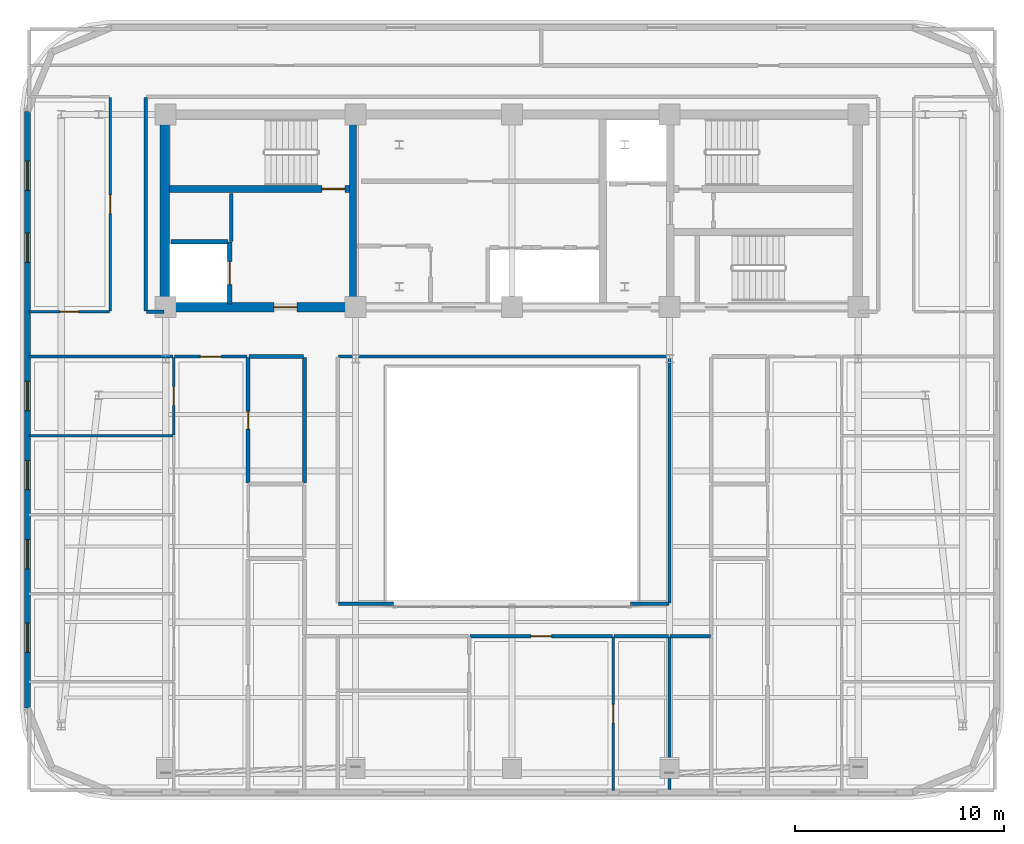
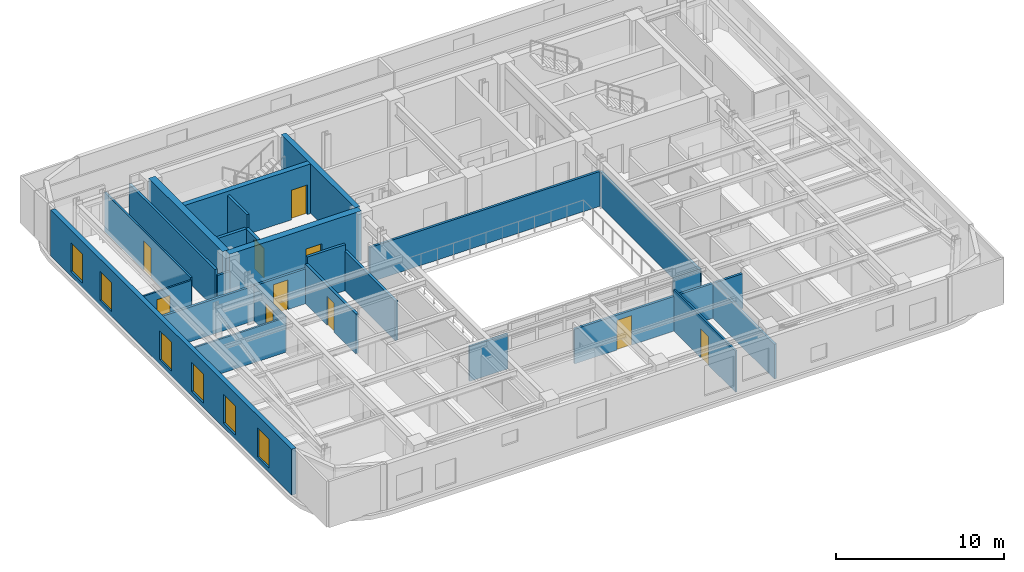
# One storey, part 7 of 14: 28 walls, 10 doors, 6 windows, 16 openings.
"""IFC4 building model written with IfcOpenShell, lengths in metres."""

from ifc_helpers import new_model, si_unit, direction, frame, frame_2d, origin, place, context, subcontext, project, spatial, rectangle, extrude, material, layer, layer_set, type_object, element, fill, save


model = new_model("IFC4")

# Units and contexts
model_context = context("Model", 3, precision=1e-05, world=origin(), true_north=direction((0.0, 1.0)))
body_context = subcontext(model_context, "Body", "Model", "MODEL_VIEW")
ifc_project = project(units=[si_unit("LENGTHUNIT", "METRE"), si_unit("AREAUNIT", "SQUARE_METRE"), si_unit("VOLUMEUNIT", "CUBIC_METRE"), si_unit("PLANEANGLEUNIT", "RADIAN"), si_unit("MASSUNIT", "GRAM", prefix="KILO")], contexts=[model_context])

# Site, building, storey
site_placement = place(None, origin())
site = spatial("IfcSite", under=ifc_project, at=site_placement, CompositionType="ELEMENT")
building_placement = place(site_placement, origin())
building = spatial("IfcBuilding", under=site, at=building_placement, Name="Zarnavel Station Tower", CompositionType="ELEMENT")
storey_placement = place(building_placement, frame((0.0, 0.0, 225.60009765625)))
storey = spatial("IfcBuildingStorey", under=building, at=storey_placement, Name="L61", CompositionType="ELEMENT", Elevation=225.60009765625)

# Wall
ifc_material_1 = material(Name="Concrete C50/60", Category="concrete")
ifc_layer_1 = layer(ifc_material_1, 0.35009765625)
ifc_layer_set_1 = layer_set([ifc_layer_1], Name="CW_350")
wall_type_1 = type_object("IfcWallType", Name="CW_350", PredefinedType="SHEAR", material=ifc_layer_set_1)
wall_1_placement = place(storey_placement, frame((21.179931640625, 28.044921875, 0.0), z_axis=(0.0, 0.0, 1.0), x_axis=(0.0, 1.0, 0.0)))
element("IfcWall", 1, at=wall_1_placement, inside=storey, type_object=wall_type_1, Name="L61 Rear Core Shear Wall DIV-W", PredefinedType="SHEAR", context=body_context, shape_type="SweptSolid", body=[
    extrude(rectangle(XDim=8.780029296875, YDim=0.35009765625, at=frame_2d((4.39013671875, 0.0))), origin(), (0.0, 0.0, 1.0), 3.599853515625),
])

# Wall, opening, door
wall_2_placement = place(storey_placement, frame((21.0048828125, 33.47998046875, 0.0), z_axis=(0.0, 0.0, 1.0), x_axis=(-1.0, 0.0, 0.0)))
wall_2 = element("IfcWall", 2, at=wall_2_placement, inside=storey, type_object=wall_type_1, Name="L61 Rear Core Shear Wall DIV-H1", PredefinedType="SHEAR", context=body_context, shape_type="SweptSolid", body=[
    extrude(rectangle(XDim=8.6298828125, YDim=0.35009765625, at=frame_2d((4.31494140625, 0.0))), origin(), (0.0, 0.0, 1.0), 3.599853515625),
])
opening_1_placement = place(wall_2_placement, frame((0.219970703125, 0.0, 0.0)))
opening_1 = element("IfcOpeningElement", 3, at=opening_1_placement, cuts=wall_2, Name="Opening FD01", PredefinedType="OPENING", context=body_context, shape_type="SweptSolid", body=[
    extrude(rectangle(XDim=1.10009765625, YDim=2.14990234375, at=frame_2d((0.550048828125, 1.074951171875))), frame((0.0, 0.18505859375, 0.0), z_axis=(0.0, -1.0, 0.0), x_axis=(1.0, 0.0, 0.0)), (0.0, 0.0, 1.0), 0.3701171875),
])
ifc_material_2 = material(Name="Painted Galvanised Steel and Hardwood Leaf", Category="steel")
door_type_1 = type_object("IfcDoorType", Name="ID_STAIR_1100", OperationType="NOTDEFINED", PredefinedType="DOOR", material=ifc_material_2)
door_1_placement = place(opening_1_placement, origin())
door_1 = element("IfcDoor", 4, at=door_1_placement, inside=storey, type_object=door_type_1, Name="L61 Stair ST1 Lobby Fire Door", OperationType="SINGLE_SWING_LEFT", OverallHeight=2.14990234375, OverallWidth=1.10009765625, PredefinedType="DOOR", context=body_context, shape_type="SweptSolid", body=[
    extrude(rectangle(XDim=1.10009765625, YDim=2.14990234375, at=frame_2d((0.550048828125, 1.074951171875))), frame((0.0, 0.02490234375, 0.0), z_axis=(0.0, -1.0, 0.0), x_axis=(1.0, 0.0, 0.0)), (0.0, 0.0, 1.0), 0.050048828125),
])
fill(opening_1, door_1)

ifc_material_3 = material(Name="Concrete C50/60", Category="concrete")
ifc_layer_2 = layer(ifc_material_3, 0.449951171875)
ifc_layer_set_2 = layer_set([ifc_layer_2], Name="CW_450")
wall_type_2 = type_object("IfcWallType", Name="CW_450", PredefinedType="SHEAR", material=ifc_layer_set_2)
wall_3_placement = place(storey_placement, frame((21.179931640625, 27.820068359375, 0.0), z_axis=(0.0, 0.0, 1.0), x_axis=(-1.0, 0.0, 0.0)))
wall_3 = element("IfcWall", 5, at=wall_3_placement, inside=storey, type_object=wall_type_2, Name="L61 Rear Core Shear Wall S-W", PredefinedType="SHEAR", context=body_context, shape_type="SweptSolid", body=[
    extrude(rectangle(XDim=9.030029296875, YDim=0.449951171875, at=frame_2d((4.51513671875, 0.0))), origin(), (0.0, 0.0, 1.0), 3.599853515625),
])
opening_2_placement = place(wall_3_placement, frame((2.679931640625, 0.0, 0.0)))
opening_2 = element("IfcOpeningElement", 6, at=opening_2_placement, cuts=wall_3, Name="Opening FD01", PredefinedType="OPENING", context=body_context, shape_type="SweptSolid", body=[
    extrude(rectangle(XDim=1.10009765625, YDim=2.14990234375, at=frame_2d((0.550048828125, 1.074951171875))), frame((0.0, 0.23486328125, 0.0), z_axis=(0.0, -1.0, 0.0), x_axis=(1.0, 0.0, 0.0)), (0.0, 0.0, 1.0), 0.469970703125),
])
door_2_placement = place(opening_2_placement, origin())
door_2 = element("IfcDoor", 7, at=door_2_placement, inside=storey, type_object=door_type_1, Name="L61 West Firefighting Lobby Door", OperationType="SINGLE_SWING_RIGHT", OverallHeight=2.14990234375, OverallWidth=1.10009765625, PredefinedType="DOOR", context=body_context, shape_type="SweptSolid", body=[
    extrude(rectangle(XDim=1.10009765625, YDim=2.14990234375, at=frame_2d((0.550048828125, 1.074951171875))), frame((0.0, 0.02490234375, 0.0), z_axis=(0.0, -1.0, 0.0), x_axis=(1.0, 0.0, 0.0)), (0.0, 0.0, 1.0), 0.050048828125),
])
fill(opening_2, door_2)

# Wall
wall_4_placement = place(storey_placement, frame((12.14990234375, 28.044921875, 0.0), z_axis=(0.0, 0.0, 1.0), x_axis=(0.0, 1.0, 0.0)))
element("IfcWall", 8, at=wall_4_placement, inside=storey, type_object=wall_type_2, Name="L61 Rear Core Shear Wall W", PredefinedType="SHEAR", context=body_context, shape_type="SweptSolid", body=[
    extrude(rectangle(XDim=8.780029296875, YDim=0.449951171875, at=frame_2d((4.39013671875, 0.0))), origin(), (0.0, 0.0, 1.0), 3.599853515625),
])

# Wall, openings, windows
ifc_material_4 = material(Name="Precast concrete C45/55 (Dark Basalt Finish)", Category="masonry")
ifc_layer_3 = layer(ifc_material_4, 0.300048828125)
ifc_layer_set_3 = layer_set([ifc_layer_3], Name="EW_BASALT_300")
wall_type_3 = type_object("IfcWallType", Name="EW_BASALT_300", PredefinedType="SOLIDWALL", material=ifc_layer_set_3)
wall_5_placement = place(storey_placement, frame((5.580078125, 8.60009765625, 0.0), z_axis=(0.0, 0.0, 1.0), x_axis=(0.0, 1.0, 0.0)))
wall_5 = element("IfcWall", 9, at=wall_5_placement, inside=storey, type_object=wall_type_3, Name="L61 Exterior Basalt Masonry Frame Wall 09", PredefinedType="SOLIDWALL", context=body_context, shape_type="SweptSolid", body=[
    extrude(rectangle(XDim=28.599853515625, YDim=0.300048828125, at=frame_2d((14.2998046875, 0.0))), origin(), (0.0, 0.0, 1.0), 3.33984375),
])
opening_3_placement = place(wall_5_placement, frame((21.360107421875, 0.0, 0.340087890625)))
opening_3 = element("IfcOpeningElement", 10, at=opening_3_placement, cuts=wall_5, Name="Opening WN04", PredefinedType="OPENING", context=body_context, shape_type="SweptSolid", body=[
    extrude(rectangle(XDim=1.39990234375, YDim=2.10009765625, at=frame_2d((0.699951171875, 1.050048828125))), frame((0.0, 0.159912109375, 0.0), z_axis=(0.0, -1.0, 0.0), x_axis=(1.0, 0.0, 0.0)), (0.0, 0.0, 1.0), 0.320068359375),
])
opening_4_placement = place(wall_5_placement, frame((24.820068359375, 0.0, 0.340087890625)))
opening_4 = element("IfcOpeningElement", 11, at=opening_4_placement, cuts=wall_5, Name="Opening WN04", PredefinedType="OPENING", context=body_context, shape_type="SweptSolid", body=[
    extrude(rectangle(XDim=1.39990234375, YDim=2.10009765625, at=frame_2d((0.699951171875, 1.050048828125))), frame((0.0, 0.159912109375, 0.0), z_axis=(0.0, -1.0, 0.0), x_axis=(1.0, 0.0, 0.0)), (0.0, 0.0, 1.0), 0.320068359375),
])
opening_5_placement = place(wall_5_placement, frame((2.6708984375, 0.0, 0.340087890625)))
opening_5 = element("IfcOpeningElement", 12, at=opening_5_placement, cuts=wall_5, Name="Opening WN04", PredefinedType="OPENING", context=body_context, shape_type="SweptSolid", body=[
    extrude(rectangle(XDim=1.39990234375, YDim=2.10009765625, at=frame_2d((0.699951171875, 1.050048828125))), frame((0.0, 0.159912109375, 0.0), z_axis=(0.0, -1.0, 0.0), x_axis=(1.0, 0.0, 0.0)), (0.0, 0.0, 1.0), 0.320068359375),
])
opening_6_placement = place(wall_5_placement, frame((6.678955078125, 0.0, 0.340087890625)))
opening_6 = element("IfcOpeningElement", 13, at=opening_6_placement, cuts=wall_5, Name="Opening WN04", PredefinedType="OPENING", context=body_context, shape_type="SweptSolid", body=[
    extrude(rectangle(XDim=1.39990234375, YDim=2.10009765625, at=frame_2d((0.699951171875, 1.050048828125))), frame((0.0, 0.159912109375, 0.0), z_axis=(0.0, -1.0, 0.0), x_axis=(1.0, 0.0, 0.0)), (0.0, 0.0, 1.0), 0.320068359375),
])
opening_7_placement = place(wall_5_placement, frame((10.467041015625, 0.0, 0.340087890625)))
opening_7 = element("IfcOpeningElement", 14, at=opening_7_placement, cuts=wall_5, Name="Opening WN04", PredefinedType="OPENING", context=body_context, shape_type="SweptSolid", body=[
    extrude(rectangle(XDim=1.39990234375, YDim=2.10009765625, at=frame_2d((0.699951171875, 1.050048828125))), frame((0.0, 0.159912109375, 0.0), z_axis=(0.0, -1.0, 0.0), x_axis=(1.0, 0.0, 0.0)), (0.0, 0.0, 1.0), 0.320068359375),
])
opening_8_placement = place(wall_5_placement, frame((14.255615234375, 0.0, 0.340087890625)))
opening_8 = element("IfcOpeningElement", 15, at=opening_8_placement, cuts=wall_5, Name="Opening WN04", PredefinedType="OPENING", context=body_context, shape_type="SweptSolid", body=[
    extrude(rectangle(XDim=1.39990234375, YDim=2.10009765625, at=frame_2d((0.699951171875, 1.050048828125))), frame((0.0, 0.159912109375, 0.0), z_axis=(0.0, -1.0, 0.0), x_axis=(1.0, 0.0, 0.0)), (0.0, 0.0, 1.0), 0.320068359375),
])
ifc_material_5 = material(Name="Thermally Broken Black Aluminium and Low-E Dark Glass", Category="aluminium")
window_type = type_object("IfcWindowType", Name="WN_1400x2100", PartitioningType="DOUBLE_PANEL_VERTICAL", PredefinedType="WINDOW", material=ifc_material_5)
window_1_placement = place(opening_3_placement, origin())
window_1 = element("IfcWindow", 16, at=window_1_placement, inside=storey, type_object=window_type, Name="L61 Recessed Facade Window 01", OverallHeight=2.10009765625, OverallWidth=1.39990234375, PartitioningType="SINGLE_PANEL", PredefinedType="WINDOW", context=body_context, shape_type="SweptSolid", body=[
    extrude(rectangle(XDim=1.39990234375, YDim=2.10009765625, at=frame_2d((0.699951171875, 1.050048828125))), frame((0.0, 0.030029296875, 0.0), z_axis=(0.0, -1.0, 0.0), x_axis=(1.0, 0.0, 0.0)), (0.0, 0.0, 1.0), 0.06005859375),
])
fill(opening_3, window_1)
window_2_placement = place(opening_4_placement, origin())
window_2 = element("IfcWindow", 17, at=window_2_placement, inside=storey, type_object=window_type, Name="L61 Recessed Facade Window 02", OverallHeight=2.10009765625, OverallWidth=1.39990234375, PartitioningType="SINGLE_PANEL", PredefinedType="WINDOW", context=body_context, shape_type="SweptSolid", body=[
    extrude(rectangle(XDim=1.39990234375, YDim=2.10009765625, at=frame_2d((0.699951171875, 1.050048828125))), frame((0.0, 0.030029296875, 0.0), z_axis=(0.0, -1.0, 0.0), x_axis=(1.0, 0.0, 0.0)), (0.0, 0.0, 1.0), 0.06005859375),
])
fill(opening_4, window_2)
window_3_placement = place(opening_5_placement, origin())
window_3 = element("IfcWindow", 18, at=window_3_placement, inside=storey, type_object=window_type, Name="L61 Recessed Facade Window 03", OverallHeight=2.10009765625, OverallWidth=1.39990234375, PartitioningType="SINGLE_PANEL", PredefinedType="WINDOW", context=body_context, shape_type="SweptSolid", body=[
    extrude(rectangle(XDim=1.39990234375, YDim=2.10009765625, at=frame_2d((0.699951171875, 1.050048828125))), frame((0.0, 0.030029296875, 0.0), z_axis=(0.0, -1.0, 0.0), x_axis=(1.0, 0.0, 0.0)), (0.0, 0.0, 1.0), 0.06005859375),
])
fill(opening_5, window_3)
window_4_placement = place(opening_6_placement, origin())
window_4 = element("IfcWindow", 19, at=window_4_placement, inside=storey, type_object=window_type, Name="L61 Recessed Facade Window 04", OverallHeight=2.10009765625, OverallWidth=1.39990234375, PartitioningType="SINGLE_PANEL", PredefinedType="WINDOW", context=body_context, shape_type="SweptSolid", body=[
    extrude(rectangle(XDim=1.39990234375, YDim=2.10009765625, at=frame_2d((0.699951171875, 1.050048828125))), frame((0.0, 0.030029296875, 0.0), z_axis=(0.0, -1.0, 0.0), x_axis=(1.0, 0.0, 0.0)), (0.0, 0.0, 1.0), 0.06005859375),
])
fill(opening_6, window_4)
window_5_placement = place(opening_7_placement, origin())
window_5 = element("IfcWindow", 20, at=window_5_placement, inside=storey, type_object=window_type, Name="L61 Recessed Facade Window 05", OverallHeight=2.10009765625, OverallWidth=1.39990234375, PartitioningType="SINGLE_PANEL", PredefinedType="WINDOW", context=body_context, shape_type="SweptSolid", body=[
    extrude(rectangle(XDim=1.39990234375, YDim=2.10009765625, at=frame_2d((0.699951171875, 1.050048828125))), frame((0.0, 0.030029296875, 0.0), z_axis=(0.0, -1.0, 0.0), x_axis=(1.0, 0.0, 0.0)), (0.0, 0.0, 1.0), 0.06005859375),
])
fill(opening_7, window_5)
window_6_placement = place(opening_8_placement, origin())
window_6 = element("IfcWindow", 21, at=window_6_placement, inside=storey, type_object=window_type, Name="L61 Recessed Facade Window 06", OverallHeight=2.10009765625, OverallWidth=1.39990234375, PartitioningType="SINGLE_PANEL", PredefinedType="WINDOW", context=body_context, shape_type="SweptSolid", body=[
    extrude(rectangle(XDim=1.39990234375, YDim=2.10009765625, at=frame_2d((0.699951171875, 1.050048828125))), frame((0.0, 0.030029296875, 0.0), z_axis=(0.0, -1.0, 0.0), x_axis=(1.0, 0.0, 0.0)), (0.0, 0.0, 1.0), 0.06005859375),
])
fill(opening_8, window_6)

# Wall, opening, door
ifc_material_6 = material(Name="Gypsum Twin-Stud Acoustic Fire Partition", Category="concrete")
ifc_layer_4 = layer(ifc_material_6, 0.159912109375)
ifc_layer_set_4 = layer_set([ifc_layer_4], Name="PT_DEMISE_160")
wall_type_4 = type_object("IfcWallType", Name="PT_DEMISE_160", PredefinedType="PARTITIONING", material=ifc_layer_set_4)
wall_6_placement = place(storey_placement, frame((12.631103515625, 25.449951171875, 0.0), z_axis=(0.0, 0.0, 1.0), x_axis=(1.0, 0.0, 0.0)))
wall_6 = element("IfcWall", 22, at=wall_6_placement, inside=storey, type_object=wall_type_4, Name="L61 Partition COR-S-UW1LV", PredefinedType="PARTITIONING", context=body_context, shape_type="SweptSolid", body=[
    extrude(rectangle(XDim=3.47900390625, YDim=0.159912109375, at=frame_2d((1.739501953125, 0.0))), origin(), (0.0, 0.0, 1.0), 2.52001953125),
])
opening_9_placement = place(wall_6_placement, frame((1.239501953125, 0.0, 0.0)))
opening_9 = element("IfcOpeningElement", 23, at=opening_9_placement, cuts=wall_6, Name="Opening FD02", PredefinedType="OPENING", context=body_context, shape_type="SweptSolid", body=[
    extrude(rectangle(XDim=1.0, YDim=2.14990234375, at=frame_2d((0.5, 1.074951171875))), frame((0.0, 0.08984375, 0.0), z_axis=(0.0, -1.0, 0.0), x_axis=(1.0, 0.0, 0.0)), (0.0, 0.0, 1.0), 0.179931640625),
])
ifc_material_7 = material(Name="Painted Galvanised Steel and Hardwood Leaf", Category="steel")
door_type_2 = type_object("IfcDoorType", Name="ID_ENTRY_1000", OperationType="NOTDEFINED", PredefinedType="DOOR", material=ifc_material_7)
door_3_placement = place(opening_9_placement, origin())
door_3 = element("IfcDoor", 24, at=door_3_placement, inside=storey, type_object=door_type_2, Name="L61 Door COR-S-UW1LV", OperationType="SINGLE_SWING_RIGHT", OverallHeight=2.14990234375, OverallWidth=1.0, PredefinedType="DOOR", context=body_context, shape_type="SweptSolid", body=[
    extrude(rectangle(XDim=1.0, YDim=2.14990234375, at=frame_2d((0.5, 1.074951171875))), frame((0.0, 0.02490234375, 0.0), z_axis=(0.0, -1.0, 0.0), x_axis=(1.0, 0.0, 0.0)), (0.0, 0.0, 1.0), 0.050048828125),
])
fill(opening_9, door_3)

# Wall
wall_7_placement = place(storey_placement, frame((5.659912109375, 25.449951171875, 0.0), z_axis=(0.0, 0.0, 1.0), x_axis=(1.0, 0.0, 0.0)))
element("IfcWall", 25, at=wall_7_placement, inside=storey, type_object=wall_type_4, Name="L61 Partition COR-S-UW1B5", PredefinedType="PARTITIONING", context=body_context, shape_type="SweptSolid", body=[
    extrude(rectangle(XDim=6.89111328125, YDim=0.159912109375, at=frame_2d((3.445556640625, 0.0))), origin(), (0.0, 0.0, 1.0), 2.52001953125),
])

# Wall, opening, door
wall_8_placement = place(storey_placement, frame((26.7900390625, 12.050048828125, 0.0), z_axis=(0.0, 0.0, 1.0), x_axis=(1.0, 0.0, 0.0)))
wall_8 = element("IfcWall", 26, at=wall_8_placement, inside=storey, type_object=wall_type_4, Name="L61 Partition COR-AS-US1LV", PredefinedType="PARTITIONING", context=body_context, shape_type="SweptSolid", body=[
    extrude(rectangle(XDim=6.820068359375, YDim=0.159912109375, at=frame_2d((3.41015625, 0.0))), origin(), (0.0, 0.0, 1.0), 2.52001953125),
])
opening_10_placement = place(wall_8_placement, frame((2.909912109375, 0.0, 0.0)))
opening_10 = element("IfcOpeningElement", 27, at=opening_10_placement, cuts=wall_8, Name="Opening FD02", PredefinedType="OPENING", context=body_context, shape_type="SweptSolid", body=[
    extrude(rectangle(XDim=1.0, YDim=2.14990234375, at=frame_2d((0.5, 1.074951171875))), frame((0.0, 0.08984375, 0.0), z_axis=(0.0, -1.0, 0.0), x_axis=(1.0, 0.0, 0.0)), (0.0, 0.0, 1.0), 0.179931640625),
])
door_4_placement = place(opening_10_placement, origin())
door_4 = element("IfcDoor", 28, at=door_4_placement, inside=storey, type_object=door_type_2, Name="L61 Door COR-AS-US1LV", OperationType="SINGLE_SWING_RIGHT", OverallHeight=2.14990234375, OverallWidth=1.0, PredefinedType="DOOR", context=body_context, shape_type="SweptSolid", body=[
    extrude(rectangle(XDim=1.0, YDim=2.14990234375, at=frame_2d((0.5, 1.074951171875))), frame((0.0, 0.02490234375, 0.0), z_axis=(0.0, -1.0, 0.0), x_axis=(1.0, 0.0, 0.0)), (0.0, 0.0, 1.0), 0.050048828125),
])
fill(opening_10, door_4)

# Walls
wall_9_placement = place(storey_placement, frame((33.68994140625, 12.050048828125, 0.0), z_axis=(0.0, 0.0, 1.0), x_axis=(1.0, 0.0, 0.0)))
element("IfcWall", 29, at=wall_9_placement, inside=storey, type_object=wall_type_4, Name="L61 Partition COR-AS-US1B1", PredefinedType="PARTITIONING", context=body_context, shape_type="SweptSolid", body=[
    extrude(rectangle(XDim=2.6201171875, YDim=0.159912109375, at=frame_2d((1.31005859375, 0.0))), origin(), (0.0, 0.0, 1.0), 2.52001953125),
])
wall_10_placement = place(storey_placement, frame((15.35009765625, 30.9599609375, 0.0), z_axis=(0.0, 0.0, 1.0), x_axis=(0.0, 1.0, 0.0)))
element("IfcWall", 30, at=wall_10_placement, inside=storey, type_object=wall_type_4, Name="L61 Enclosure Wall FFL1", PredefinedType="PARTITIONING", context=body_context, shape_type="SweptSolid", body=[
    extrude(rectangle(XDim=2.31005859375, YDim=0.159912109375, at=frame_2d((1.155029296875, 0.0))), origin(), (0.0, 0.0, 1.0), 3.33984375),
])
wall_11_placement = place(storey_placement, frame((20.47998046875, 25.449951171875, 0.0), z_axis=(0.0, 0.0, 1.0), x_axis=(1.0, 0.0, 0.0)))
element("IfcWall", 31, at=wall_11_placement, inside=storey, type_object=wall_type_4, Name="L61 Enclosure Wall COR-S", PredefinedType="PARTITIONING", context=body_context, shape_type="SweptSolid", body=[
    extrude(rectangle(XDim=15.840087890625, YDim=0.159912109375, at=frame_2d((7.919921875, 0.0))), origin(), (0.0, 0.0, 1.0), 2.52001953125),
])
wall_12_placement = place(storey_placement, frame((11.280029296875, 27.60009765625, 0.0), z_axis=(0.0, 0.0, 1.0), x_axis=(1.0, 0.0, 0.0)))
element("IfcWall", 32, at=wall_12_placement, inside=storey, type_object=wall_type_4, Name="L61 Enclosure Wall COR-S", PredefinedType="PARTITIONING", context=body_context, shape_type="SweptSolid", body=[
    extrude(rectangle(XDim=0.840087890625, YDim=0.159912109375, at=frame_2d((0.419921875, 0.0))), origin(), (0.0, 0.0, 1.0), 2.409912109375),
])
wall_13_placement = place(storey_placement, frame((36.3798828125, 12.050048828125, 0.0), z_axis=(0.0, 0.0, 1.0), x_axis=(1.0, 0.0, 0.0)))
element("IfcWall", 33, at=wall_13_placement, inside=storey, type_object=wall_type_4, Name="L61 Enclosure Wall COR-AE", PredefinedType="PARTITIONING", context=body_context, shape_type="SweptSolid", body=[
    extrude(rectangle(XDim=1.940185546875, YDim=0.159912109375, at=frame_2d((0.97021484375, 0.0))), origin(), (0.0, 0.0, 1.0), 2.52001953125),
])
wall_14_placement = place(storey_placement, frame((36.35009765625, 13.6298828125, 0.0), z_axis=(0.0, 0.0, 1.0), x_axis=(0.0, 1.0, 0.0)))
element("IfcWall", 34, at=wall_14_placement, inside=storey, type_object=wall_type_4, Name="L61 Enclosure Wall COR-AE", PredefinedType="PARTITIONING", context=body_context, shape_type="SweptSolid", body=[
    extrude(rectangle(XDim=11.7900390625, YDim=0.159912109375, at=frame_2d((5.89501953125, 0.0))), origin(), (0.0, 0.0, 1.0), 2.52001953125),
])
wall_15_placement = place(storey_placement, frame((20.47998046875, 13.60009765625, 0.0), z_axis=(0.0, 0.0, 1.0), x_axis=(1.0, 0.0, 0.0)))
element("IfcWall", 35, at=wall_15_placement, inside=storey, type_object=wall_type_4, Name="L61 Enclosure Wall COR-AS", PredefinedType="PARTITIONING", context=body_context, shape_type="SweptSolid", body=[
    extrude(rectangle(XDim=2.64013671875, YDim=0.159912109375, at=frame_2d((1.320068359375, 0.0))), origin(), (0.0, 0.0, 1.0), 2.52001953125),
])
wall_16_placement = place(storey_placement, frame((34.47998046875, 13.60009765625, 0.0), z_axis=(0.0, 0.0, 1.0), x_axis=(1.0, 0.0, 0.0)))
element("IfcWall", 36, at=wall_16_placement, inside=storey, type_object=wall_type_4, Name="L61 Enclosure Wall COR-AS", PredefinedType="PARTITIONING", context=body_context, shape_type="SweptSolid", body=[
    extrude(rectangle(XDim=1.840087890625, YDim=0.159912109375, at=frame_2d((0.919921875, 0.0))), origin(), (0.0, 0.0, 1.0), 2.52001953125),
])
wall_17_placement = place(storey_placement, frame((11.25, 27.6298828125, 0.0), z_axis=(0.0, 0.0, 1.0), x_axis=(0.0, 1.0, 0.0)))
element("IfcWall", 37, at=wall_17_placement, inside=storey, type_object=wall_type_4, Name="L61 Enclosure Wall COR-W", PredefinedType="PARTITIONING", context=body_context, shape_type="SweptSolid", body=[
    extrude(rectangle(XDim=10.240234375, YDim=0.159912109375, at=frame_2d((5.1201171875, 0.0))), origin(), (0.0, 0.0, 1.0), 2.81982421875),
])
wall_18_placement = place(storey_placement, frame((36.35009765625, 4.68994140625, 0.0), z_axis=(0.0, 0.0, 1.0), x_axis=(0.0, 1.0, 0.0)))
element("IfcWall", 38, at=wall_18_placement, inside=storey, type_object=wall_type_4, Name="L61 Enclosure Wall US1B1", PredefinedType="PARTITIONING", context=body_context, shape_type="SweptSolid", body=[
    extrude(rectangle(XDim=7.330078125, YDim=0.159912109375, at=frame_2d((3.6650390625, 0.0))), origin(), (0.0, 0.0, 1.0), 2.52001953125),
])

# Wall, opening, door
ifc_material_8 = material(Name="Gypsum Metal-Stud Interior Partition", Category="concrete")
ifc_layer_5 = layer(ifc_material_8, 0.1201171875)
ifc_layer_set_5 = layer_set([ifc_layer_5], Name="PT_ROOM_120")
wall_type_5 = type_object("IfcWallType", Name="PT_ROOM_120", PredefinedType="PARTITIONING", material=ifc_layer_set_5)
wall_19_placement = place(storey_placement, frame((5.659912109375, 27.60009765625, 0.0), z_axis=(0.0, 0.0, 1.0), x_axis=(1.0, 0.0, 0.0)))
wall_19 = element("IfcWall", 39, at=wall_19_placement, inside=storey, type_object=wall_type_5, Name="L61 Partition COR-S-FNW", PredefinedType="PARTITIONING", context=body_context, shape_type="SweptSolid", body=[
    extrude(rectangle(XDim=3.85009765625, YDim=0.1201171875, at=frame_2d((1.925048828125, 0.0))), origin(), (0.0, 0.0, 1.0), 2.669921875),
])
opening_11_placement = place(wall_19_placement, frame((1.47509765625, 0.0, 0.0)))
opening_11 = element("IfcOpeningElement", 40, at=opening_11_placement, cuts=wall_19, Name="Opening ID01", PredefinedType="OPENING", context=body_context, shape_type="SweptSolid", body=[
    extrude(rectangle(XDim=0.89990234375, YDim=2.10009765625, at=frame_2d((0.449951171875, 1.050048828125))), frame((0.0, 0.070068359375, 0.0), z_axis=(0.0, -1.0, 0.0), x_axis=(1.0, 0.0, 0.0)), (0.0, 0.0, 1.0), 0.14013671875),
])
ifc_material_9 = material(Name="Painted Galvanised Steel and Hardwood Leaf", Category="steel")
door_type_3 = type_object("IfcDoorType", Name="ID_ROOM_900", OperationType="NOTDEFINED", PredefinedType="DOOR", material=ifc_material_9)
door_5_placement = place(opening_11_placement, origin())
door_5 = element("IfcDoor", 41, at=door_5_placement, inside=storey, type_object=door_type_3, Name="L61 Door COR-S-FNW", OperationType="SINGLE_SWING_RIGHT", OverallHeight=2.10009765625, OverallWidth=0.89990234375, PredefinedType="DOOR", context=body_context, shape_type="SweptSolid", body=[
    extrude(rectangle(XDim=0.89990234375, YDim=2.10009765625, at=frame_2d((0.449951171875, 1.050048828125))), frame((0.0, 0.02490234375, 0.0), z_axis=(0.0, -1.0, 0.0), x_axis=(1.0, 0.0, 0.0)), (0.0, 0.0, 1.0), 0.050048828125),
])
fill(opening_11, door_5)

wall_20_placement = place(storey_placement, frame((9.550048828125, 27.639892578125, 0.0), z_axis=(0.0, 0.0, 1.0), x_axis=(0.0, 1.0, 0.0)))
wall_20 = element("IfcWall", 42, at=wall_20_placement, inside=storey, type_object=wall_type_5, Name="L61 Partition COR-W-FNW", PredefinedType="PARTITIONING", context=body_context, shape_type="SweptSolid", body=[
    extrude(rectangle(XDim=10.22021484375, YDim=0.1201171875, at=frame_2d((5.110107421875, 0.0))), origin(), (0.0, 0.0, 1.0), 2.81982421875),
])
opening_12_placement = place(wall_20_placement, frame((4.659912109375, 0.0, 0.0)))
opening_12 = element("IfcOpeningElement", 43, at=opening_12_placement, cuts=wall_20, Name="Opening ID01", PredefinedType="OPENING", context=body_context, shape_type="SweptSolid", body=[
    extrude(rectangle(XDim=0.89990234375, YDim=2.10009765625, at=frame_2d((0.449951171875, 1.050048828125))), frame((0.0, 0.070068359375, 0.0), z_axis=(0.0, -1.0, 0.0), x_axis=(1.0, 0.0, 0.0)), (0.0, 0.0, 1.0), 0.14013671875),
])
door_6_placement = place(opening_12_placement, origin())
door_6 = element("IfcDoor", 44, at=door_6_placement, inside=storey, type_object=door_type_3, Name="L61 Door COR-W-FNW", OperationType="SINGLE_SWING_LEFT", OverallHeight=2.10009765625, OverallWidth=0.89990234375, PredefinedType="DOOR", context=body_context, shape_type="SweptSolid", body=[
    extrude(rectangle(XDim=0.89990234375, YDim=2.10009765625, at=frame_2d((0.449951171875, 1.050048828125))), frame((0.0, 0.02490234375, 0.0), z_axis=(0.0, -1.0, 0.0), x_axis=(1.0, 0.0, 0.0)), (0.0, 0.0, 1.0), 0.050048828125),
])
fill(opening_12, door_6)

wall_21_placement = place(storey_placement, frame((12.591064453125, 21.700927734375, 0.0), z_axis=(0.0, 0.0, 1.0), x_axis=(0.0, 1.0, 0.0)))
wall_21 = element("IfcWall", 45, at=wall_21_placement, inside=storey, type_object=wall_type_5, Name="L61 Partition UW1LV-UW1B5", PredefinedType="PARTITIONING", context=body_context, shape_type="SweptSolid", body=[
    extrude(rectangle(XDim=3.708984375, YDim=0.1201171875, at=frame_2d((1.8544921875, 0.0))), origin(), (0.0, 0.0, 1.0), 2.52001953125),
])
opening_13_placement = place(wall_21_placement, frame((1.404541015625, 0.0, 0.0)))
opening_13 = element("IfcOpeningElement", 46, at=opening_13_placement, cuts=wall_21, Name="Opening ID01", PredefinedType="OPENING", context=body_context, shape_type="SweptSolid", body=[
    extrude(rectangle(XDim=0.89990234375, YDim=2.10009765625, at=frame_2d((0.449951171875, 1.050048828125))), frame((0.0, 0.070068359375, 0.0), z_axis=(0.0, -1.0, 0.0), x_axis=(1.0, 0.0, 0.0)), (0.0, 0.0, 1.0), 0.14013671875),
])
door_7_placement = place(opening_13_placement, origin())
door_7 = element("IfcDoor", 47, at=door_7_placement, inside=storey, type_object=door_type_3, Name="L61 Door UW1LV-UW1B5", OperationType="SINGLE_SWING_RIGHT", OverallHeight=2.10009765625, OverallWidth=0.89990234375, PredefinedType="DOOR", context=body_context, shape_type="SweptSolid", body=[
    extrude(rectangle(XDim=0.89990234375, YDim=2.10009765625, at=frame_2d((0.449951171875, 1.050048828125))), frame((0.0, 0.02490234375, 0.0), z_axis=(0.0, -1.0, 0.0), x_axis=(1.0, 0.0, 0.0)), (0.0, 0.0, 1.0), 0.050048828125),
])
fill(opening_13, door_7)

# Wall
wall_22_placement = place(storey_placement, frame((5.659912109375, 21.660888671875, 0.0), z_axis=(0.0, 0.0, 1.0), x_axis=(1.0, 0.0, 0.0)))
element("IfcWall", 48, at=wall_22_placement, inside=storey, type_object=wall_type_5, Name="L61 Partition UW1B4-UW1B5", PredefinedType="PARTITIONING", context=body_context, shape_type="SweptSolid", body=[
    extrude(rectangle(XDim=6.89111328125, YDim=0.1201171875, at=frame_2d((3.445556640625, 0.0))), origin(), (0.0, 0.0, 1.0), 2.52001953125),
])

# Wall, opening, door
wall_23_placement = place(storey_placement, frame((33.64990234375, 4.659912109375, 0.0), z_axis=(0.0, 0.0, 1.0), x_axis=(0.0, 1.0, 0.0)))
wall_23 = element("IfcWall", 49, at=wall_23_placement, inside=storey, type_object=wall_type_5, Name="L61 Partition US1LV-US1B1", PredefinedType="PARTITIONING", context=body_context, shape_type="SweptSolid", body=[
    extrude(rectangle(XDim=7.35009765625, YDim=0.1201171875, at=frame_2d((3.675048828125, 0.0))), origin(), (0.0, 0.0, 1.0), 3.0),
])
opening_14_placement = place(wall_23_placement, frame((3.22509765625, 0.0, 0.0)))
opening_14 = element("IfcOpeningElement", 50, at=opening_14_placement, cuts=wall_23, Name="Opening ID01", PredefinedType="OPENING", context=body_context, shape_type="SweptSolid", body=[
    extrude(rectangle(XDim=0.89990234375, YDim=2.10009765625, at=frame_2d((0.449951171875, 1.050048828125))), frame((0.0, 0.070068359375, 0.0), z_axis=(0.0, -1.0, 0.0), x_axis=(1.0, 0.0, 0.0)), (0.0, 0.0, 1.0), 0.14013671875),
])
door_8_placement = place(opening_14_placement, origin())
door_8 = element("IfcDoor", 51, at=door_8_placement, inside=storey, type_object=door_type_3, Name="L61 Door US1LV-US1B1", OperationType="SINGLE_SWING_LEFT", OverallHeight=2.10009765625, OverallWidth=0.89990234375, PredefinedType="DOOR", context=body_context, shape_type="SweptSolid", body=[
    extrude(rectangle(XDim=0.89990234375, YDim=2.10009765625, at=frame_2d((0.449951171875, 1.050048828125))), frame((0.0, 0.02490234375, 0.0), z_axis=(0.0, -1.0, 0.0), x_axis=(1.0, 0.0, 0.0)), (0.0, 0.0, 1.0), 0.050048828125),
])
fill(opening_14, door_8)

ifc_material_10 = material(Name="Precast concrete C45/55 (Fire Shaft Blockwork)", Category="masonry")
ifc_layer_6 = layer(ifc_material_10, 0.199951171875)
ifc_layer_set_6 = layer_set([ifc_layer_6], Name="PT_SHAFT_200")
wall_type_6 = type_object("IfcWallType", Name="PT_SHAFT_200", PredefinedType="PARTITIONING", material=ifc_layer_set_6)
wall_24_placement = place(storey_placement, frame((15.27001953125, 27.969970703125, 0.0), z_axis=(0.0, 0.0, 1.0), x_axis=(0.0, 1.0, 0.0)))
wall_24 = element("IfcWall", 52, at=wall_24_placement, inside=storey, type_object=wall_type_6, Name="L61 Lift FFL-01 Shaft Front Wall", PredefinedType="PARTITIONING", context=body_context, shape_type="SweptSolid", body=[
    extrude(rectangle(XDim=2.9599609375, YDim=0.199951171875, at=frame_2d((1.47998046875, 0.0))), origin(), (0.0, 0.0, 1.0), 2.409912109375),
])
opening_15_placement = place(wall_24_placement, frame((0.929931640625, 0.0, 0.0)))
opening_15 = element("IfcOpeningElement", 53, at=opening_15_placement, cuts=wall_24, Name="Opening LD01", PredefinedType="OPENING", context=body_context, shape_type="SweptSolid", body=[
    extrude(rectangle(XDim=1.10009765625, YDim=2.14990234375, at=frame_2d((0.550048828125, 1.074951171875))), frame((0.0, 0.10986328125, 0.0), z_axis=(0.0, -1.0, 0.0), x_axis=(1.0, 0.0, 0.0)), (0.0, 0.0, 1.0), 0.219970703125),
])
ifc_material_11 = material(Name="Painted Galvanised Steel and Hardwood Leaf", Category="steel")
door_type_4 = type_object("IfcDoorType", Name="LD_FF_1100", OperationType="DOUBLE_DOOR_SLIDING", PredefinedType="DOOR", material=ifc_material_11)
door_9_placement = place(opening_15_placement, origin())
door_9 = element("IfcDoor", 54, at=door_9_placement, inside=storey, type_object=door_type_4, Name="L61 Lift FFL-01 Sliding Landing Door", OperationType="DOUBLE_DOOR_SLIDING", OverallHeight=2.14990234375, OverallWidth=1.10009765625, PredefinedType="DOOR", context=body_context, shape_type="SweptSolid", body=[
    extrude(rectangle(XDim=1.10009765625, YDim=2.14990234375, at=frame_2d((0.550048828125, 1.074951171875))), frame((0.0, 0.02490234375, 0.0), z_axis=(0.0, -1.0, 0.0), x_axis=(1.0, 0.0, 0.0)), (0.0, 0.0, 1.0), 0.050048828125),
])
fill(opening_15, door_9)

# Walls
wall_25_placement = place(storey_placement, frame((12.449951171875, 30.949951171875, 0.0), z_axis=(0.0, 0.0, 1.0), x_axis=(1.0, 0.0, 0.0)))
element("IfcWall", 55, at=wall_25_placement, inside=storey, type_object=wall_type_6, Name="L61 Lift FFL-01 North Shaft Wall", PredefinedType="PARTITIONING", context=body_context, shape_type="SweptSolid", body=[
    extrude(rectangle(XDim=2.75, YDim=0.199951171875, at=frame_2d((1.375, 0.0))), origin(), (0.0, 0.0, 1.0), 2.409912109375),
])
ifc_material_12 = material(Name="Moisture-Resistant Plumbing Chase Wall", Category="concrete")
ifc_layer_7 = layer(ifc_material_12, 0.179931640625)
ifc_layer_set_7 = layer_set([ifc_layer_7], Name="PW_PLUMB_180")
wall_type_7 = type_object("IfcWallType", Name="PW_PLUMB_180", PredefinedType="PLUMBINGWALL", material=ifc_layer_set_7)
wall_26_placement = place(storey_placement, frame((16.18994140625, 25.449951171875, 0.0), z_axis=(0.0, 0.0, 1.0), x_axis=(1.0, 0.0, 0.0)))
element("IfcWall", 56, at=wall_26_placement, inside=storey, type_object=wall_type_7, Name="L61 Partition COR-S-UW1BA", PredefinedType="PLUMBINGWALL", context=body_context, shape_type="SweptSolid", body=[
    extrude(rectangle(XDim=2.6201171875, YDim=0.179931640625, at=frame_2d((1.31005859375, 0.0))), origin(), (0.0, 0.0, 1.0), 3.33984375),
])
wall_27_placement = place(storey_placement, frame((18.85009765625, 19.37890625, 0.0), z_axis=(0.0, 0.0, 1.0), x_axis=(0.0, 1.0, 0.0)))
element("IfcWall", 57, at=wall_27_placement, inside=storey, type_object=wall_type_7, Name="L61 Partition COR-AW-UW1BA", PredefinedType="PLUMBINGWALL", context=body_context, shape_type="SweptSolid", body=[
    extrude(rectangle(XDim=6.031005859375, YDim=0.179931640625, at=frame_2d((3.015625, 0.0))), origin(), (0.0, 0.0, 1.0), 2.869873046875),
])

# Wall, opening, door
wall_28_placement = place(storey_placement, frame((16.14990234375, 19.37890625, 0.0), z_axis=(0.0, 0.0, 1.0), x_axis=(0.0, 1.0, 0.0)))
wall_28 = element("IfcWall", 58, at=wall_28_placement, inside=storey, type_object=wall_type_7, Name="L61 Partition UW1LV-UW1BA", PredefinedType="PLUMBINGWALL", context=body_context, shape_type="SweptSolid", body=[
    extrude(rectangle(XDim=6.031005859375, YDim=0.179931640625, at=frame_2d((3.015625, 0.0))), origin(), (0.0, 0.0, 1.0), 2.869873046875),
])
opening_16_placement = place(wall_28_placement, frame((2.590576171875, 0.0, 0.0)))
opening_16 = element("IfcOpeningElement", 59, at=opening_16_placement, cuts=wall_28, Name="Opening ID02", PredefinedType="OPENING", context=body_context, shape_type="SweptSolid", body=[
    extrude(rectangle(XDim=0.85009765625, YDim=2.10009765625, at=frame_2d((0.425048828125, 1.050048828125))), frame((0.0, 0.099853515625, 0.0), z_axis=(0.0, -1.0, 0.0), x_axis=(1.0, 0.0, 0.0)), (0.0, 0.0, 1.0), 0.199951171875),
])
ifc_material_13 = material(Name="Painted Galvanised Steel and Hardwood Leaf", Category="steel")
door_type_5 = type_object("IfcDoorType", Name="ID_BATH_850", OperationType="NOTDEFINED", PredefinedType="DOOR", material=ifc_material_13)
door_10_placement = place(opening_16_placement, origin())
door_10 = element("IfcDoor", 60, at=door_10_placement, inside=storey, type_object=door_type_5, Name="L61 Door UW1LV-UW1BA", OperationType="SINGLE_SWING_LEFT", OverallHeight=2.10009765625, OverallWidth=0.85009765625, PredefinedType="DOOR", context=body_context, shape_type="SweptSolid", body=[
    extrude(rectangle(XDim=0.85009765625, YDim=2.10009765625, at=frame_2d((0.425048828125, 1.050048828125))), frame((0.0, 0.02490234375, 0.0), z_axis=(0.0, -1.0, 0.0), x_axis=(1.0, 0.0, 0.0)), (0.0, 0.0, 1.0), 0.050048828125),
])
fill(opening_16, door_10)

save(model, "model.ifc")
